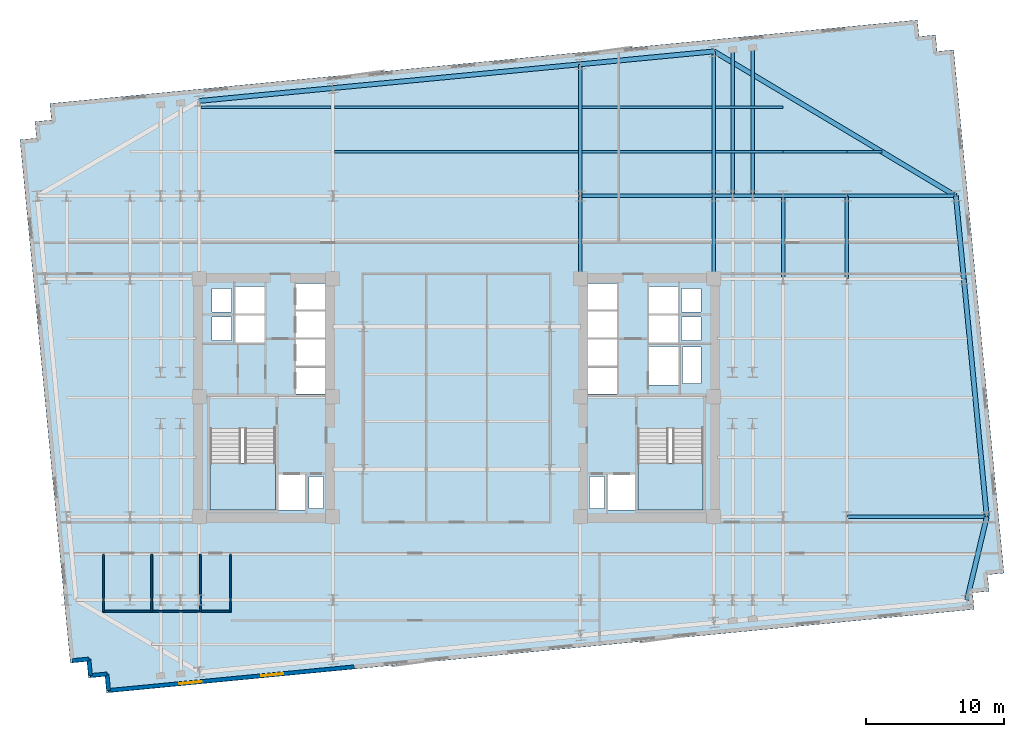
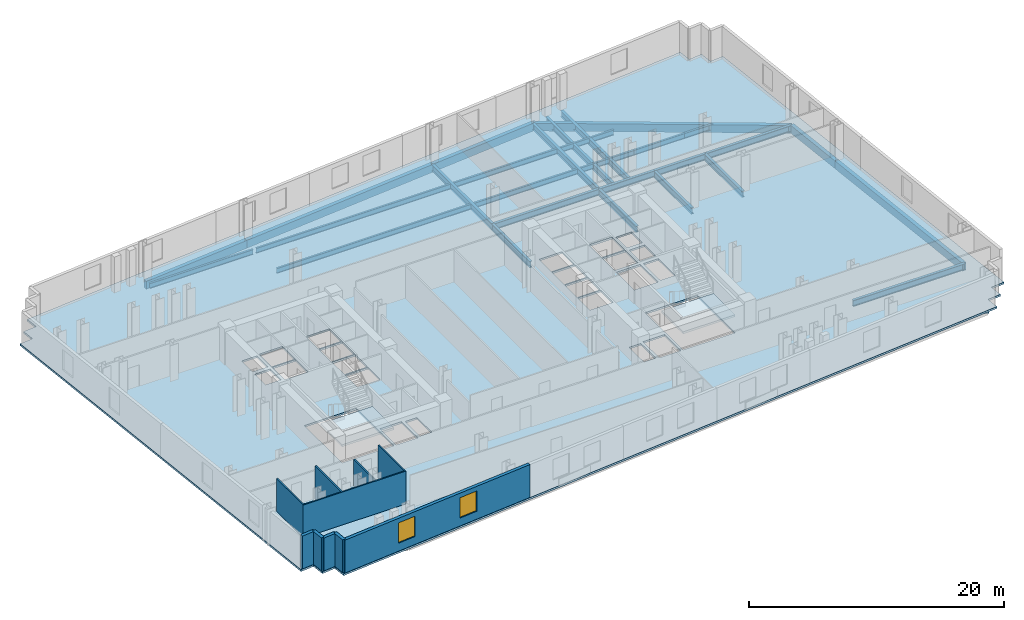
# One storey, part 3 of 10: 29 beams, 10 walls, 3 slabs, 2 windows, 2 openings, 2 elements without a shape of their own.
"""IFC4 building model written with IfcOpenShell, lengths in metres."""

from ifc_helpers import new_model, si_unit, direction, frame, frame_2d, origin, origin_2d, place, context, subcontext, project, spatial, polyline, rectangle, i_section, outline, extrude, material, layer, layer_set, material_profile, profile_set, type_object, element, fill, aggregate, save


model = new_model("IFC4")

# Units and contexts
model_context = context("Model", 3, precision=1e-05, world=origin(), true_north=direction((0.0, 1.0)))
body_context = subcontext(model_context, "Body", "Model", "MODEL_VIEW")
ifc_project = project(units=[si_unit("LENGTHUNIT", "METRE"), si_unit("AREAUNIT", "SQUARE_METRE"), si_unit("VOLUMEUNIT", "CUBIC_METRE"), si_unit("PLANEANGLEUNIT", "RADIAN"), si_unit("MASSUNIT", "GRAM", prefix="KILO")], contexts=[model_context])

# Site, building, storey
site_placement = place(None, origin())
site = spatial("IfcSite", under=ifc_project, at=site_placement, CompositionType="ELEMENT")
building_placement = place(site_placement, origin())
building = spatial("IfcBuilding", under=site, at=building_placement, Name="Velakula Bourse", CompositionType="ELEMENT")
storey_placement = place(building_placement, frame((0.0, 0.0, 108.699951171875)))
storey = spatial("IfcBuildingStorey", under=building, at=storey_placement, Name="L29", CompositionType="ELEMENT", Elevation=108.699951171875)

# Beams
ifc_material_1 = material(Name="Steel IS 2062 Grade 350 (E350)", Category="steel")
ifc_material_profile_1 = material_profile(ifc_material_1, i_section(OverallWidth=0.25, OverallDepth=0.60009765625, WebThickness=0.01171875, FlangeThickness=0.023681640625, at=origin_2d()), Name="Steel IS 2062 Grade 350 (E350)")
ifc_profile_set_1 = profile_set([ifc_material_profile_1], Name="Steel IS 2062 Grade 350 (E350)")
beam_type_1 = type_object("IfcBeamType", Name="BM-GRD-600H", PredefinedType="BEAM", material=ifc_profile_set_1)
for number, where, z_axis, x_axis, name in (
    (1, (8.949951171875, 8.60009765625, -0.47998046875), (0.0, 1.0, 0.0), (-1.0, 0.0, 0.0), "L29 Fulcrum Grid Girder FLC-ECN"),
    (2, (18.60009765625, 8.60009765625, -0.47998046875), (0.0, 1.0, 0.0), (-1.0, 0.0, 0.0), "L29 Fulcrum Grid Girder FLC-EN"),
):
    element("IfcBeam", number, at=place(storey_placement, frame(where, z_axis=z_axis, x_axis=x_axis)), inside=storey, type_object=beam_type_1, Name=name, PredefinedType="BEAM", context=body_context, shape_type="SweptSolid", body=[
        extrude(i_section(OverallWidth=0.25, OverallDepth=0.60009765625, WebThickness=0.01171875, FlangeThickness=0.023681640625, at=origin_2d()), origin(), (0.0, 0.0, 1.0), 6.0),
    ])
beam_1_placement = place(storey_placement, frame((8.949951171875, 14.60009765625, -0.47998046875), z_axis=(1.0, 0.0, 0.0), x_axis=(0.0, 1.0, 0.0)))
element("IfcBeam", 3, at=beam_1_placement, inside=storey, type_object=beam_type_1, Name="L29 Fulcrum Grid Girder FLC-N3", PredefinedType="BEAM", context=body_context, shape_type="SweptSolid", body=[
    extrude(i_section(OverallWidth=0.25, OverallDepth=0.60009765625, WebThickness=0.01171875, FlangeThickness=0.023681640625, at=origin_2d()), origin(), (0.0, 0.0, 1.0), 9.650146484375),
])
beam_2_placement = place(storey_placement, frame((18.60009765625, 14.60009765625, -0.47998046875), z_axis=(1.0, 0.0, 0.0), x_axis=(0.0, 1.0, 0.0)))
element("IfcBeam", 4, at=beam_2_placement, inside=storey, type_object=beam_type_1, Name="L29 Fulcrum Grid Girder MWG-EN2", PredefinedType="BEAM", context=body_context, shape_type="SweptSolid", body=[
    extrude(i_section(OverallWidth=0.25, OverallDepth=0.60009765625, WebThickness=0.01171875, FlangeThickness=0.023681640625, at=origin_2d()), origin(), (0.0, 0.0, 1.0), 5.0),
])
beam_3_placement = place(storey_placement, frame((23.60009765625, 8.60009765625, -0.47998046875), z_axis=(0.0, 1.0, 0.0), x_axis=(-1.0, 0.0, 0.0)))
element("IfcBeam", 5, at=beam_3_placement, inside=storey, type_object=beam_type_1, Name="L29 Fulcrum Grid Girder MWG-ENS3", PredefinedType="BEAM", context=body_context, shape_type="SweptSolid", body=[
    extrude(i_section(OverallWidth=0.25, OverallDepth=0.60009765625, WebThickness=0.01171875, FlangeThickness=0.023681640625, at=origin_2d()), origin(), (0.0, 0.0, 1.0), 6.0),
])
beam_4_placement = place(storey_placement, frame((23.60009765625, 14.60009765625, -0.47998046875), z_axis=(1.0, 0.0, 0.0), x_axis=(0.0, 1.0, 0.0)))
element("IfcBeam", 6, at=beam_4_placement, inside=storey, type_object=beam_type_1, Name="L29 Fulcrum Grid Girder WNG-EN2", PredefinedType="BEAM", context=body_context, shape_type="SweptSolid", body=[
    extrude(i_section(OverallWidth=0.25, OverallDepth=0.60009765625, WebThickness=0.01171875, FlangeThickness=0.023681640625, at=origin_2d()), origin(), (0.0, 0.0, 1.0), 4.599853515625),
])
beam_5_placement = place(storey_placement, frame((28.199951171875, 8.60009765625, -0.47998046875), z_axis=(0.0, 1.0, 0.0), x_axis=(-1.0, 0.0, 0.0)))
element("IfcBeam", 7, at=beam_5_placement, inside=storey, type_object=beam_type_1, Name="L29 Fulcrum Grid Girder WNG-ENS3", PredefinedType="BEAM", context=body_context, shape_type="SweptSolid", body=[
    extrude(i_section(OverallWidth=0.25, OverallDepth=0.60009765625, WebThickness=0.01171875, FlangeThickness=0.023681640625, at=origin_2d()), origin(), (0.0, 0.0, 1.0), 6.0),
])
beam_6_placement = place(storey_placement, frame((8.949951171875, 14.60009765625, -0.47998046875), z_axis=(0.0, 1.0, 0.0), x_axis=(-1.0, 0.0, 0.0)))
element("IfcBeam", 8, at=beam_6_placement, inside=storey, type_object=beam_type_1, Name="L29 Perimeter Tie Girder N3", PredefinedType="BEAM", context=body_context, shape_type="SweptSolid", body=[
    extrude(i_section(OverallWidth=0.25, OverallDepth=0.60009765625, WebThickness=0.01171875, FlangeThickness=0.023681640625, at=origin_2d()), origin(), (0.0, 0.0, 1.0), 9.521484375),
])
beam_7_placement = place(storey_placement, frame((18.60009765625, 14.60009765625, -0.47998046875), z_axis=(0.0, 1.0, 0.0), x_axis=(-1.0, 0.0, 0.0)))
element("IfcBeam", 9, at=beam_7_placement, inside=storey, type_object=beam_type_1, Name="L29 Perimeter Tie Girder N4", PredefinedType="BEAM", context=body_context, shape_type="SweptSolid", body=[
    extrude(i_section(OverallWidth=0.25, OverallDepth=0.60009765625, WebThickness=0.01171875, FlangeThickness=0.023681640625, at=origin_2d()), origin(), (0.0, 0.0, 1.0), 10.45068359375),
])
beam_8_placement = place(storey_placement, frame((28.199951171875, -8.60009765625, -0.47998046875), z_axis=(1.0, 0.0, 0.0), x_axis=(0.0, 1.0, 0.0)))
element("IfcBeam", 10, at=beam_8_placement, inside=storey, type_object=beam_type_1, Name="L29 Perimeter Tie Girder E2", PredefinedType="BEAM", context=body_context, shape_type="SweptSolid", body=[
    extrude(i_section(OverallWidth=0.25, OverallDepth=0.60009765625, WebThickness=0.01171875, FlangeThickness=0.023681640625, at=origin_2d()), origin(), (0.0, 0.0, 1.0), 10.119873046875),
])
beam_9_placement = place(storey_placement, frame((28.199951171875, 14.60009765625, -0.47998046875), z_axis=(1.0, 0.0, 0.0), x_axis=(0.0, 1.0, 0.0)))
element("IfcBeam", 11, at=beam_9_placement, inside=storey, type_object=beam_type_1, Name="L29 Perimeter Tie Girder E4", PredefinedType="BEAM", context=body_context, shape_type="SweptSolid", body=[
    extrude(i_section(OverallWidth=0.25, OverallDepth=0.60009765625, WebThickness=0.01171875, FlangeThickness=0.023681640625, at=origin_2d()), origin(), (0.0, 0.0, 1.0), 7.885986328125),
])
beam_10_placement = place(storey_placement, frame((19.949951171875, 14.60009765625, -0.47998046875), z_axis=(0.0, 1.0, 0.0), x_axis=(-1.0, 0.0, 0.0)))
element("IfcBeam", 12, at=beam_10_placement, inside=storey, type_object=beam_type_1, Name="L29 Perimeter Tie Girder P07", PredefinedType="BEAM", context=body_context, shape_type="SweptSolid", body=[
    extrude(i_section(OverallWidth=0.25, OverallDepth=0.60009765625, WebThickness=0.01171875, FlangeThickness=0.023681640625, at=origin_2d()), origin(), (0.0, 0.0, 1.0), 10.580810546875),
])
beam_11_placement = place(storey_placement, frame((21.39990234375, 14.60009765625, -0.47998046875), z_axis=(0.0, 1.0, 0.0), x_axis=(-1.0, 0.0, 0.0)))
element("IfcBeam", 13, at=beam_11_placement, inside=storey, type_object=beam_type_1, Name="L29 Perimeter Tie Girder P08", PredefinedType="BEAM", context=body_context, shape_type="SweptSolid", body=[
    extrude(i_section(OverallWidth=0.25, OverallDepth=0.60009765625, WebThickness=0.01171875, FlangeThickness=0.023681640625, at=origin_2d()), origin(), (0.0, 0.0, 1.0), 10.720458984375),
])
ifc_material_profile_2 = material_profile(ifc_material_1, i_section(OverallWidth=0.179931640625, OverallDepth=0.5, WebThickness=0.01025390625, FlangeThickness=0.01708984375, at=origin_2d()), Name="Steel IS 2062 Grade 350 (E350)")
ifc_profile_set_2 = profile_set([ifc_material_profile_2], Name="Steel IS 2062 Grade 350 (E350)")
beam_type_2 = type_object("IfcBeamType", Name="JST-TWR-500", PredefinedType="JOIST", material=ifc_profile_set_2)
beam_12_placement = place(storey_placement, frame((-8.824951171875, 17.800048828125, -0.429931640625), z_axis=(1.0, 0.0, 0.0), x_axis=(0.0, 1.0, 0.0)))
element("IfcBeam", 14, at=beam_12_placement, inside=storey, type_object=beam_type_2, Name="L29 Trading Floor Composite Joist 22", PredefinedType="JOIST", context=body_context, shape_type="SweptSolid", body=[
    extrude(i_section(OverallWidth=0.179931640625, OverallDepth=0.5, WebThickness=0.01025390625, FlangeThickness=0.01708984375, at=origin_2d()), origin(), (0.0, 0.0, 1.0), 17.64990234375),
])
beam_13_placement = place(storey_placement, frame((9.074951171875, 17.800048828125, -0.429931640625), z_axis=(1.0, 0.0, 0.0), x_axis=(0.0, 1.0, 0.0)))
element("IfcBeam", 15, at=beam_13_placement, inside=storey, type_object=beam_type_2, Name="L29 Trading Floor Composite Joist 23", PredefinedType="JOIST", context=body_context, shape_type="SweptSolid", body=[
    extrude(i_section(OverallWidth=0.179931640625, OverallDepth=0.5, WebThickness=0.01025390625, FlangeThickness=0.01708984375, at=origin_2d()), origin(), (0.0, 0.0, 1.0), 9.400146484375),
])
beam_14_placement = place(storey_placement, frame((18.72509765625, 17.800048828125, -0.429931640625), z_axis=(1.0, 0.0, 0.0), x_axis=(0.0, 1.0, 0.0)))
element("IfcBeam", 16, at=beam_14_placement, inside=storey, type_object=beam_type_2, Name="L29 Trading Floor Composite Joist 24", PredefinedType="JOIST", context=body_context, shape_type="SweptSolid", body=[
    extrude(i_section(OverallWidth=0.179931640625, OverallDepth=0.5, WebThickness=0.01025390625, FlangeThickness=0.01708984375, at=origin_2d()), origin(), (0.0, 0.0, 1.0), 4.875),
])
beam_15_placement = place(storey_placement, frame((23.60009765625, 17.800048828125, -0.429931640625), z_axis=(1.0, 0.0, 0.0), x_axis=(0.0, 1.0, 0.0)))
element("IfcBeam", 17, at=beam_15_placement, inside=storey, type_object=beam_type_2, Name="L29 Trading Floor Composite Joist 25", PredefinedType="JOIST", context=body_context, shape_type="SweptSolid", body=[
    extrude(i_section(OverallWidth=0.179931640625, OverallDepth=0.5, WebThickness=0.01025390625, FlangeThickness=0.01708984375, at=origin_2d()), origin(), (0.0, 0.0, 1.0), 4.599853515625),
])
beam_16_placement = place(storey_placement, frame((28.199951171875, 17.800048828125, -0.429931640625), z_axis=(1.0, 0.0, 0.0), x_axis=(0.0, 1.0, 0.0)))
element("IfcBeam", 18, at=beam_16_placement, inside=storey, type_object=beam_type_2, Name="L29 Trading Floor Composite Joist 26", PredefinedType="JOIST", context=body_context, shape_type="SweptSolid", body=[
    extrude(i_section(OverallWidth=0.179931640625, OverallDepth=0.5, WebThickness=0.01025390625, FlangeThickness=0.01708984375, at=origin_2d()), origin(), (0.0, 0.0, 1.0), 2.53173828125),
])
beam_17_placement = place(storey_placement, frame((-18.47509765625, 21.0, -0.429931640625), z_axis=(1.0, 0.0, 0.0), x_axis=(0.0, 1.0, 0.0)))
element("IfcBeam", 19, at=beam_17_placement, inside=storey, type_object=beam_type_2, Name="L29 Trading Floor Composite Joist 27", PredefinedType="JOIST", context=body_context, shape_type="SweptSolid", body=[
    extrude(i_section(OverallWidth=0.179931640625, OverallDepth=0.5, WebThickness=0.01025390625, FlangeThickness=0.01708984375, at=origin_2d()), origin(), (0.0, 0.0, 1.0), 9.400146484375),
])
beam_18_placement = place(storey_placement, frame((-8.824951171875, 21.0, -0.429931640625), z_axis=(1.0, 0.0, 0.0), x_axis=(0.0, 1.0, 0.0)))
element("IfcBeam", 20, at=beam_18_placement, inside=storey, type_object=beam_type_2, Name="L29 Trading Floor Composite Joist 28", PredefinedType="JOIST", context=body_context, shape_type="SweptSolid", body=[
    extrude(i_section(OverallWidth=0.179931640625, OverallDepth=0.5, WebThickness=0.01025390625, FlangeThickness=0.01708984375, at=origin_2d()), origin(), (0.0, 0.0, 1.0), 17.64990234375),
])
beam_19_placement = place(storey_placement, frame((9.074951171875, 21.0, -0.429931640625), z_axis=(1.0, 0.0, 0.0), x_axis=(0.0, 1.0, 0.0)))
element("IfcBeam", 21, at=beam_19_placement, inside=storey, type_object=beam_type_2, Name="L29 Trading Floor Composite Joist 29", PredefinedType="JOIST", context=body_context, shape_type="SweptSolid", body=[
    extrude(i_section(OverallWidth=0.179931640625, OverallDepth=0.5, WebThickness=0.01025390625, FlangeThickness=0.01708984375, at=origin_2d()), origin(), (0.0, 0.0, 1.0), 9.400146484375),
])
beam_20_placement = place(storey_placement, frame((18.72509765625, 21.0, -0.429931640625), z_axis=(1.0, 0.0, 0.0), x_axis=(0.0, 1.0, 0.0)))
element("IfcBeam", 22, at=beam_20_placement, inside=storey, type_object=beam_type_2, Name="L29 Trading Floor Composite Joist 30", PredefinedType="JOIST", context=body_context, shape_type="SweptSolid", body=[
    extrude(i_section(OverallWidth=0.179931640625, OverallDepth=0.5, WebThickness=0.01025390625, FlangeThickness=0.01708984375, at=origin_2d()), origin(), (0.0, 0.0, 1.0), 4.875),
])
ifc_material_2 = material(Name="Precast concrete M45 (fck 45 MPa)", Category="concrete")
ifc_material_profile_3 = material_profile(ifc_material_2, rectangle(XDim=0.35009765625, YDim=0.75, at=origin_2d()), Name="Precast concrete M45 (fck 45 MPa)")
ifc_profile_set_3 = profile_set([ifc_material_profile_3], Name="Precast concrete M45 (fck 45 MPa)")
beam_type_3 = type_object("IfcBeamType", Name="SPN-BRICK-750", PredefinedType="SPANDREL", material=ifc_profile_set_3)
beam_21_placement = place(storey_placement, frame((-18.60009765625, 21.468994140625, -0.554931640625), z_axis=(0.99539623971, 0.095845323155, 0.0), x_axis=(-0.095845323155, 0.99539623971, 0.0)))
element("IfcBeam", 23, at=beam_21_placement, inside=storey, type_object=beam_type_3, Name="L29 Brick-Faced Precast Spandrel N1-N2", PredefinedType="SPANDREL", context=body_context, shape_type="SweptSolid", body=[
    extrude(rectangle(XDim=0.35009765625, YDim=0.75, at=origin_2d()), origin(), (0.0, 0.0, 1.0), 9.69482421875),
])
beam_22_placement = place(storey_placement, frame((-8.949951171875, 22.398193359375, -0.554931640625), z_axis=(0.995397131467, 0.095836061418, 0.0), x_axis=(-0.095836061418, 0.995397131467, 0.0)))
element("IfcBeam", 24, at=beam_22_placement, inside=storey, type_object=beam_type_3, Name="L29 Brick-Faced Precast Spandrel N2-N3", PredefinedType="SPANDREL", context=body_context, shape_type="SweptSolid", body=[
    extrude(rectangle(XDim=0.35009765625, YDim=0.75, at=origin_2d()), origin(), (0.0, 0.0, 1.0), 17.982666015625),
])
beam_23_placement = place(storey_placement, frame((8.949951171875, 24.12158203125, -0.554931640625), z_axis=(0.99539623971, 0.095845323155, 0.0), x_axis=(-0.095845323155, 0.99539623971, 0.0)))
element("IfcBeam", 25, at=beam_23_placement, inside=storey, type_object=beam_type_3, Name="L29 Brick-Faced Precast Spandrel N3-N4", PredefinedType="SPANDREL", context=body_context, shape_type="SweptSolid", body=[
    extrude(rectangle(XDim=0.35009765625, YDim=0.75, at=origin_2d()), origin(), (0.0, 0.0, 1.0), 9.69482421875),
])
beam_24_placement = place(storey_placement, frame((36.88818359375, -14.60009765625, -0.554931640625), z_axis=(0.232091371601, 0.972693988482, 0.0), x_axis=(-0.972693988482, 0.232091371601, 0.0)))
element("IfcBeam", 26, at=beam_24_placement, inside=storey, type_object=beam_type_3, Name="L29 Brick-Faced Precast Spandrel E1-E2", PredefinedType="SPANDREL", context=body_context, shape_type="SweptSolid", body=[
    extrude(rectangle(XDim=0.35009765625, YDim=0.75, at=origin_2d()), origin(), (0.0, 0.0, 1.0), 6.16845703125),
])
beam_25_placement = place(storey_placement, frame((38.31982421875, -8.60009765625, -0.554931640625), z_axis=(-0.095849167925, 0.995395869495, 0.0), x_axis=(-0.995395869495, -0.095849167925, 0.0)))
element("IfcBeam", 27, at=beam_25_placement, inside=storey, type_object=beam_type_3, Name="L29 Brick-Faced Precast Spandrel E2-E3", PredefinedType="SPANDREL", context=body_context, shape_type="SweptSolid", body=[
    extrude(rectangle(XDim=0.35009765625, YDim=0.75, at=origin_2d()), origin(), (0.0, 0.0, 1.0), 17.27978515625),
])
beam_26_placement = place(storey_placement, frame((36.66357421875, 8.60009765625, -0.554931640625), z_axis=(-0.095829714309, 0.995397742541, 0.0), x_axis=(-0.995397742541, -0.095829714309, 0.0)))
element("IfcBeam", 28, at=beam_26_placement, inside=storey, type_object=beam_type_3, Name="L29 Brick-Faced Precast Spandrel E3-E4", PredefinedType="SPANDREL", context=body_context, shape_type="SweptSolid", body=[
    extrude(rectangle(XDim=0.35009765625, YDim=0.75, at=origin_2d()), origin(), (0.0, 0.0, 1.0), 6.02783203125),
])
beam_27_placement = place(storey_placement, frame((36.0859375, 14.60009765625, -0.554931640625), z_axis=(-0.858375715449, 0.513021569846, 0.0), x_axis=(-0.513021569846, -0.858375715449, 0.0)))
element("IfcBeam", 29, at=beam_27_placement, inside=storey, type_object=beam_type_3, Name="L29 Brick-Faced Precast Spandrel E4-N4", PredefinedType="SPANDREL", context=body_context, shape_type="SweptSolid", body=[
    extrude(rectangle(XDim=0.35009765625, YDim=0.75, at=origin_2d()), origin(), (0.0, 0.0, 1.0), 20.370849609375),
])

# Stair, slab
ifc_material_3 = material(Name="Concrete M45 (fck 45 MPa)", Category="concrete")
stair_type = type_object("IfcStairType", Name="STR-DOG-390", PredefinedType="HALF_TURN_STAIR", material=ifc_material_3)
stair_1_placement = place(storey_placement, origin())
stair_1 = element("IfcStair", 30, at=stair_1_placement, inside=storey, type_object=stair_type, Name="L29 West Core Exit Stair ST-W1", PredefinedType="HALF_TURN_STAIR")
ifc_layer_1 = layer(ifc_material_3, 0.199951171875, Name="Concrete M45 (fck 45 MPa)", Category="concrete")
ifc_layer_set_1 = layer_set([ifc_layer_1], Name="Concrete M45 (fck 45 MPa)")
slab_type_1 = type_object("IfcSlabType", Name="SLB-STAIR-LND-200", PredefinedType="LANDING", material=ifc_layer_set_1)
slab_1_placement = place(storey_placement, frame((0.0, 0.0, 1.525146484375)))
slab_1 = element("IfcSlab", 31, at=slab_1_placement, type_object=slab_type_1, Name="ST-W1 landing 1", PredefinedType="LANDING", context=body_context, shape_type="SweptSolid", body=[
    extrude(outline(polyline([(-17.820068359375, -4.719970703125), (-17.820068359375, -8.10009765625), (-13.10009765625, -8.10009765625), (-13.10009765625, -4.719970703125), (-17.820068359375, -4.719970703125)])), origin(), (0.0, 0.0, 1.0), 0.199951171875),
])
aggregate(stair_1, [slab_1])

stair_2_placement = place(storey_placement, origin())
stair_2 = element("IfcStair", 32, at=stair_2_placement, inside=storey, type_object=stair_type, Name="L29 East Core Exit Stair ST-E1", PredefinedType="HALF_TURN_STAIR")
slab_2_placement = place(storey_placement, frame((0.0, 0.0, 1.525146484375)))
slab_2 = element("IfcSlab", 33, at=slab_2_placement, type_object=slab_type_1, Name="ST-E1 landing 1", PredefinedType="LANDING", context=body_context, shape_type="SweptSolid", body=[
    extrude(outline(polyline([(13.10009765625, -4.719970703125), (13.10009765625, -8.10009765625), (17.820068359375, -8.10009765625), (17.820068359375, -4.719970703125), (13.10009765625, -4.719970703125)])), origin(), (0.0, 0.0, 1.0), 0.199951171875),
])
aggregate(stair_2, [slab_2])

# Slab
ifc_material_4 = material(Name="Concrete M50 (fck 50 MPa)", Category="concrete")
ifc_layer_2 = layer(ifc_material_4, 0.179931640625, Name="Concrete M50 (fck 50 MPa)", Category="concrete")
ifc_layer_set_2 = layer_set([ifc_layer_2], Name="Concrete M50 (fck 50 MPa)")
slab_type_2 = type_object("IfcSlabType", Name="SLB-TWR-180", PredefinedType="FLOOR", material=ifc_layer_set_2)
slab_3_placement = place(storey_placement, frame((0.0, 0.0, -0.179931640625)))
element("IfcSlab", 34, at=slab_3_placement, inside=storey, type_object=slab_type_2, Name="L29 Suspended Structural Floor Slab", PredefinedType="FLOOR", context=body_context, shape_type="SweptSolid", body=[
    extrude(outline(polyline([(-25.303955078125, -21.320556640625), (37.406005859375, -15.2822265625), (37.291015625, -14.087890625), (38.485595703125, -13.972900390625), (38.37060546875, -12.7783203125), (39.56494140625, -12.663330078125), (35.9228515625, 25.16162109375), (34.728271484375, 25.046630859375), (34.61328125, 26.2412109375), (33.4189453125, 26.126220703125), (33.303955078125, 27.320556640625), (-29.406005859375, 21.2822265625), (-29.291015625, 20.087890625), (-30.485595703125, 19.972900390625), (-30.37060546875, 18.7783203125), (-31.56494140625, 18.663330078125), (-27.9228515625, -19.16162109375), (-26.728271484375, -19.046630859375), (-26.61328125, -20.2412109375), (-25.4189453125, -20.126220703125), (-25.303955078125, -21.320556640625)]), holes=[polyline([(-17.820068359375, -8.10009765625), (-13.10009765625, -8.10009765625), (-13.10009765625, -2.199951171875), (-17.820068359375, -2.199951171875), (-17.820068359375, -8.10009765625)]), polyline([(13.10009765625, -8.10009765625), (17.820068359375, -8.10009765625), (17.820068359375, -2.199951171875), (13.10009765625, -2.199951171875), (13.10009765625, -8.10009765625)]), polyline([(-12.89990234375, -8.10009765625), (-10.949951171875, -8.10009765625), (-10.949951171875, -5.550048828125), (-12.89990234375, -5.550048828125), (-12.89990234375, -8.10009765625)]), polyline([(10.949951171875, -8.10009765625), (12.89990234375, -8.10009765625), (12.89990234375, -5.550048828125), (10.949951171875, -5.550048828125), (10.949951171875, -8.10009765625)]), polyline([(13.89990234375, 0.919921875), (16.050048828125, 0.919921875), (16.050048828125, 3.719970703125), (13.89990234375, 3.719970703125), (13.89990234375, 0.919921875)]), polyline([(-10.679931640625, -7.97998046875), (-9.6201171875, -7.97998046875), (-9.6201171875, -5.669921875), (-10.679931640625, -5.669921875), (-10.679931640625, -7.97998046875)]), polyline([(-17.679931640625, 4.139892578125), (-16.27001953125, 4.139892578125), (-16.27001953125, 5.85009765625), (-17.679931640625, 5.85009765625), (-17.679931640625, 4.139892578125)]), polyline([(-17.679931640625, 6.2099609375), (-16.27001953125, 6.2099609375), (-16.27001953125, 7.919921875), (-17.679931640625, 7.919921875), (-17.679931640625, 6.2099609375)]), polyline([(9.6201171875, -7.97998046875), (10.679931640625, -7.97998046875), (10.679931640625, -5.669921875), (9.6201171875, -5.669921875), (9.6201171875, -7.97998046875)]), polyline([(16.27001953125, 4.139892578125), (17.679931640625, 4.139892578125), (17.679931640625, 5.85009765625), (16.27001953125, 5.85009765625), (16.27001953125, 4.139892578125)]), polyline([(16.27001953125, 6.2099609375), (17.679931640625, 6.2099609375), (17.679931640625, 7.919921875), (16.27001953125, 7.919921875), (16.27001953125, 6.2099609375)]), polyline([(16.320068359375, 1.0400390625), (17.679931640625, 1.0400390625), (17.679931640625, 3.699951171875), (16.320068359375, 3.699951171875), (16.320068359375, 1.0400390625)]), polyline([(-11.60009765625, 0.280029296875), (-9.5, 0.280029296875), (-9.5, 2.199951171875), (-11.60009765625, 2.199951171875), (-11.60009765625, 0.280029296875)]), polyline([(-11.60009765625, 2.31005859375), (-9.5, 2.31005859375), (-9.5, 4.22998046875), (-11.60009765625, 4.22998046875), (-11.60009765625, 2.31005859375)]), polyline([(-11.60009765625, 4.340087890625), (-9.5, 4.340087890625), (-9.5, 6.260009765625), (-11.60009765625, 6.260009765625), (-11.60009765625, 4.340087890625)]), polyline([(-11.60009765625, 6.3701171875), (-9.5, 6.3701171875), (-9.5, 8.2900390625), (-11.60009765625, 8.2900390625), (-11.60009765625, 6.3701171875)]), polyline([(9.5, 0.280029296875), (11.60009765625, 0.280029296875), (11.60009765625, 2.199951171875), (9.5, 2.199951171875), (9.5, 0.280029296875)]), polyline([(9.5, 2.31005859375), (11.60009765625, 2.31005859375), (11.60009765625, 4.22998046875), (9.5, 4.22998046875), (9.5, 2.31005859375)]), polyline([(9.5, 4.340087890625), (11.60009765625, 4.340087890625), (11.60009765625, 6.260009765625), (9.5, 6.260009765625), (9.5, 4.340087890625)]), polyline([(9.5, 6.3701171875), (11.60009765625, 6.3701171875), (11.60009765625, 8.2900390625), (9.5, 8.2900390625), (9.5, 6.3701171875)]), polyline([(-16.0, 4.02001953125), (-13.89990234375, 4.02001953125), (-13.89990234375, 5.969970703125), (-16.0, 5.969970703125), (-16.0, 4.02001953125)]), polyline([(-16.0, 6.090087890625), (-13.89990234375, 6.090087890625), (-13.89990234375, 8.0400390625), (-16.0, 8.0400390625), (-16.0, 6.090087890625)]), polyline([(13.89990234375, 4.02001953125), (16.0, 4.02001953125), (16.0, 5.969970703125), (13.89990234375, 5.969970703125), (13.89990234375, 4.02001953125)]), polyline([(13.89990234375, 6.090087890625), (16.0, 6.090087890625), (16.0, 8.0400390625), (13.89990234375, 8.0400390625), (13.89990234375, 6.090087890625)])]), origin(), (0.0, 0.0, 1.0), 0.179931640625),
])

# Wall, openings, windows
ifc_material_5 = material(Name="Red kilned clay facing brick masonry", Category="masonry")
ifc_layer_3 = layer(ifc_material_5, 0.280029296875, Name="Red kilned clay facing brick masonry", Category="masonry")
ifc_layer_set_3 = layer_set([ifc_layer_3], Name="Red kilned clay facing brick masonry")
wall_type_1 = type_object("IfcWallType", Name="WL-EXT-BRK-280", PredefinedType="STANDARD", material=ifc_layer_set_3)
wall_1_placement = place(storey_placement, frame((-7.402099609375, -19.43603515625, 0.0), z_axis=(0.0, 0.0, 1.0), x_axis=(-0.995395780835, -0.095850088663, 0.0)))
wall_1 = element("IfcWall", 35, at=wall_1_placement, inside=storey, type_object=wall_type_1, Name="L29 S Brick Spandrel Wall B1", PredefinedType="STANDARD", context=body_context, shape_type="SweptSolid", body=[
    extrude(rectangle(XDim=17.83984375, YDim=0.280029296875, at=frame_2d((8.919921875, 0.0))), origin(), (0.0, 0.0, 1.0), 3.150146484375),
])
opening_1_placement = place(wall_1_placement, frame((5.146728515625, 0.0, 0.760009765625)))
opening_1 = element("IfcOpeningElement", 36, at=opening_1_placement, cuts=wall_1, Name="Opening W-02", PredefinedType="OPENING", context=body_context, shape_type="SweptSolid", body=[
    extrude(rectangle(XDim=1.60009765625, YDim=1.949951171875, at=frame_2d((0.800048828125, 0.97509765625))), frame((0.0, 0.14990234375, 0.0), z_axis=(0.0, -1.0, 0.0), x_axis=(1.0, 0.0, 0.0)), (0.0, 0.0, 1.0), 0.300048828125),
])
opening_2_placement = place(wall_1_placement, frame((11.09326171875, 0.0, 0.760009765625)))
opening_2 = element("IfcOpeningElement", 37, at=opening_2_placement, cuts=wall_1, Name="Opening W-02", PredefinedType="OPENING", context=body_context, shape_type="SweptSolid", body=[
    extrude(rectangle(XDim=1.60009765625, YDim=1.949951171875, at=frame_2d((0.800048828125, 0.97509765625))), frame((0.0, 0.14990234375, 0.0), z_axis=(0.0, -1.0, 0.0), x_axis=(1.0, 0.0, 0.0)), (0.0, 0.0, 1.0), 0.300048828125),
])
ifc_material_6 = material(Name="Double-glazed solar-control Low-E glass", Category="glass")
window_type = type_object("IfcWindowType", Name="WIN-TWR-1600x2100", PartitioningType="SINGLE_PANEL", PredefinedType="WINDOW", material=ifc_material_6)
window_1_placement = place(opening_1_placement, origin())
window_1 = element("IfcWindow", 38, at=window_1_placement, inside=storey, type_object=window_type, Name="L29 Deep-Set Recessed Window 1", OverallHeight=1.949951171875, OverallWidth=1.60009765625, PartitioningType="SINGLE_PANEL", PredefinedType="WINDOW", context=body_context, shape_type="SweptSolid", body=[
    extrude(rectangle(XDim=1.60009765625, YDim=1.949951171875, at=frame_2d((0.800048828125, 0.97509765625))), frame((0.0, 0.030029296875, 0.0), z_axis=(0.0, -1.0, 0.0), x_axis=(1.0, 0.0, 0.0)), (0.0, 0.0, 1.0), 0.06005859375),
])
fill(opening_1, window_1)
window_2_placement = place(opening_2_placement, origin())
window_2 = element("IfcWindow", 39, at=window_2_placement, inside=storey, type_object=window_type, Name="L29 Deep-Set Recessed Window 2", OverallHeight=1.949951171875, OverallWidth=1.60009765625, PartitioningType="SINGLE_PANEL", PredefinedType="WINDOW", context=body_context, shape_type="SweptSolid", body=[
    extrude(rectangle(XDim=1.60009765625, YDim=1.949951171875, at=frame_2d((0.800048828125, 0.97509765625))), frame((0.0, 0.030029296875, 0.0), z_axis=(0.0, -1.0, 0.0), x_axis=(1.0, 0.0, 0.0)), (0.0, 0.0, 1.0), 0.06005859375),
])
fill(opening_2, window_2)

# Walls
for number, where, z_axis, x_axis, name in (
    (40, (-27.779052734375, -18.987060546875, 0.0), (0.0, 0.0, 1.0), (0.995398960025, 0.095817067274, 0.0), "L29 Serrated Corner Brick Wall SW-1"),
    (41, (-26.58447265625, -18.8720703125, 0.0), (0.0, 0.0, 1.0), (0.095817067274, -0.995398960025, 0.0), "L29 Serrated Corner Brick Wall SW-2"),
    (42, (-26.469482421875, -20.066650390625, 0.0), (0.0, 0.0, 1.0), (0.995398960025, 0.095817067274, 0.0), "L29 Serrated Corner Brick Wall SW-3"),
):
    element("IfcWall", number, at=place(storey_placement, frame(where, z_axis=z_axis, x_axis=x_axis)), inside=storey, type_object=wall_type_1, Name=name, PredefinedType="STANDARD", context=body_context, shape_type="SweptSolid", body=[
        extrude(rectangle(XDim=1.2001953125, YDim=0.280029296875, at=frame_2d((0.60009765625, 0.0))), origin(), (0.0, 0.0, 1.0), 3.150146484375),
    ])
wall_2_placement = place(storey_placement, frame((-25.27490234375, -19.95166015625, 0.0), z_axis=(0.0, 0.0, 1.0), x_axis=(0.095836473879, -0.995397091755, 0.0)))
element("IfcWall", 43, at=wall_2_placement, inside=storey, type_object=wall_type_1, Name="L29 Serrated Corner Brick Wall SW-4", PredefinedType="STANDARD", context=body_context, shape_type="SweptSolid", body=[
    extrude(rectangle(XDim=1.199951171875, YDim=0.280029296875, at=frame_2d((0.60009765625, 0.0))), origin(), (0.0, 0.0, 1.0), 3.150146484375),
])
ifc_material_7 = material(Name="Fire-rated double-layer gypsum drywall partition", Category="gypsum")
ifc_layer_4 = layer(ifc_material_7, 0.1201171875, Name="Fire-rated double-layer gypsum drywall partition", Category="gypsum")
ifc_layer_set_4 = layer_set([ifc_layer_4], Name="Fire-rated double-layer gypsum drywall partition")
wall_type_2 = type_object("IfcWallType", Name="WL-PART-120", PredefinedType="STANDARD", material=ifc_layer_set_4)
wall_3_placement = place(storey_placement, frame((-25.59912109375, -15.419921875, 0.0), z_axis=(0.0, 0.0, 1.0), x_axis=(1.0, 0.0, 0.0)))
element("IfcWall", 44, at=wall_3_placement, inside=storey, type_object=wall_type_2, Name="L29 Interior Partition WL-WC-L29-BACK", PredefinedType="STANDARD", context=body_context, shape_type="SweptSolid", body=[
    extrude(rectangle(XDim=9.320068359375, YDim=0.1201171875, at=frame_2d((4.66015625, 0.0))), origin(), (0.0, 0.0, 1.0), 3.150146484375),
])
for number, where, z_axis, x_axis, name in (
    (45, (-25.539306640625, -15.419921875, 0.0), (0.0, 0.0, 1.0), (0.0, 1.0, 0.0), "L29 Interior Partition WL-WC-L29-V1"),
    (46, (-22.0390625, -15.419921875, 0.0), (0.0, 0.0, 1.0), (0.0, 1.0, 0.0), "L29 Interior Partition WL-WC-L29-V2"),
):
    element("IfcWall", number, at=place(storey_placement, frame(where, z_axis=z_axis, x_axis=x_axis)), inside=storey, type_object=wall_type_2, Name=name, PredefinedType="STANDARD", context=body_context, shape_type="SweptSolid", body=[
        extrude(rectangle(XDim=4.1298828125, YDim=0.1201171875, at=frame_2d((2.06494140625, 0.0))), origin(), (0.0, 0.0, 1.0), 3.150146484375),
    ])
wall_4_placement = place(storey_placement, frame((-18.5390625, -15.419921875, 0.0), z_axis=(0.0, 0.0, 1.0), x_axis=(0.0, 1.0, 0.0)))
element("IfcWall", 47, at=wall_4_placement, inside=storey, type_object=wall_type_2, Name="L29 Interior Partition WL-WC-L29-V3", PredefinedType="STANDARD", context=body_context, shape_type="SweptSolid", body=[
    extrude(rectangle(XDim=4.1298828125, YDim=0.1201171875, at=frame_2d((2.06494140625, 0.0))), origin(), (0.0, 0.0, 1.0), 2.545166015625),
])
wall_5_placement = place(storey_placement, frame((-16.339111328125, -15.419921875, 0.0), z_axis=(0.0, 0.0, 1.0), x_axis=(0.0, 1.0, 0.0)))
element("IfcWall", 48, at=wall_5_placement, inside=storey, type_object=wall_type_2, Name="L29 Interior Partition WL-WC-L29-V4", PredefinedType="STANDARD", context=body_context, shape_type="SweptSolid", body=[
    extrude(rectangle(XDim=4.1298828125, YDim=0.1201171875, at=frame_2d((2.06494140625, 0.0))), origin(), (0.0, 0.0, 1.0), 3.150146484375),
])

save(model, "model.ifc")
